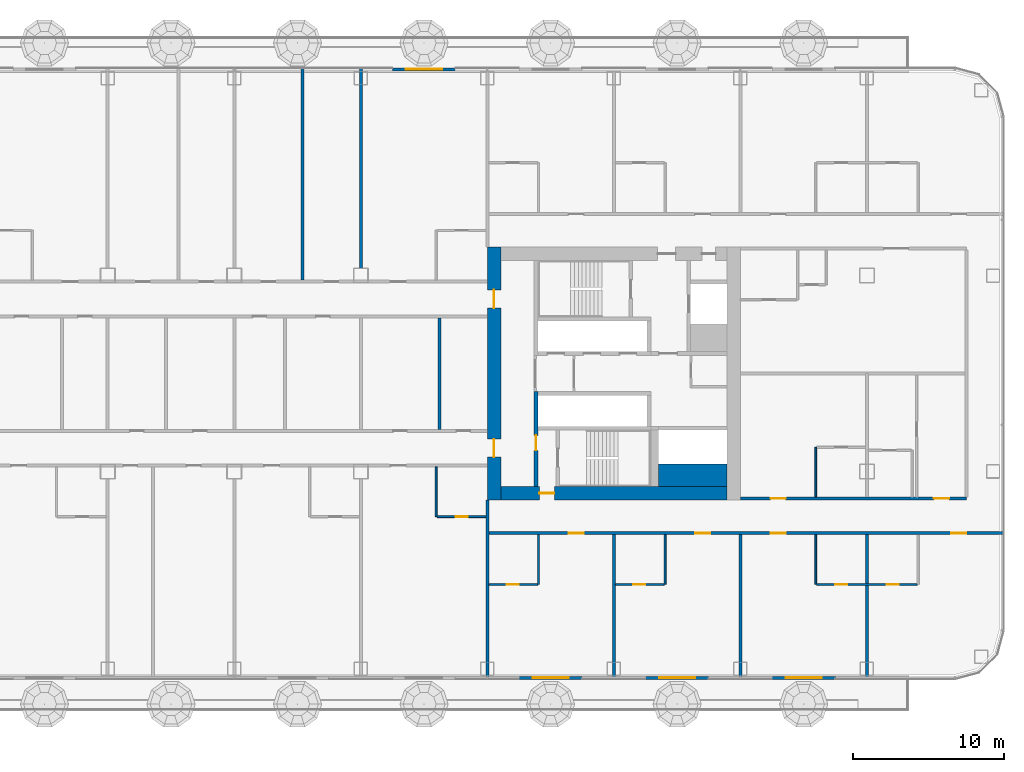
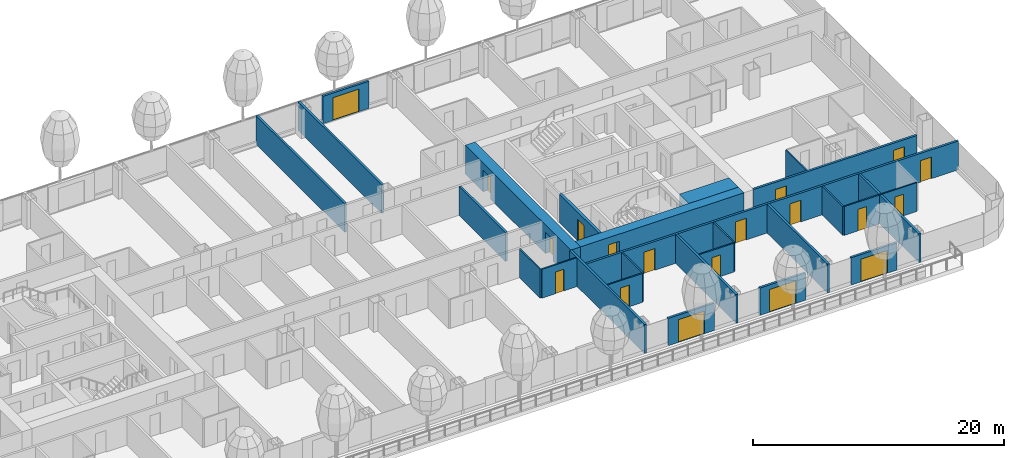
# One storey, part 17 of 35: 26 walls, 19 doors, 19 openings, 2 elements without a shape of their own.
"""IFC4 building model written with IfcOpenShell, lengths in metres."""

from ifc_helpers import new_model, si_unit, direction, frame, frame_2d, origin, place, context, subcontext, project, spatial, rectangle, extrude, material, layer, layer_set, type_object, element, fill, aggregate, save


model = new_model("IFC4")

# Units and contexts
model_context = context("Model", 3, precision=1e-05, world=origin(), true_north=direction((0.0, 1.0)))
body_context = subcontext(model_context, "Body", "Model", "MODEL_VIEW")
ifc_project = project(units=[si_unit("LENGTHUNIT", "METRE"), si_unit("AREAUNIT", "SQUARE_METRE"), si_unit("VOLUMEUNIT", "CUBIC_METRE"), si_unit("PLANEANGLEUNIT", "RADIAN"), si_unit("MASSUNIT", "GRAM", prefix="KILO")], contexts=[model_context])

# Site, building, storey
site_placement = place(None, origin())
site = spatial("IfcSite", under=ifc_project, at=site_placement, CompositionType="ELEMENT")
building_placement = place(site_placement, origin())
building = spatial("IfcBuilding", under=site, at=building_placement, Name="Hakoniwa Tower and Hamabe Station Hall", CompositionType="ELEMENT")
storey_placement = place(building_placement, frame((0.0, 0.0, 51.800048828125)))
storey = spatial("IfcBuildingStorey", under=building, at=storey_placement, Name="L14", CompositionType="ELEMENT", Elevation=51.800048828125)

# Wall, opening, door
ifc_material_1 = material(Name="Gypsum board partition", Category="gypsum")
ifc_layer_1 = layer(ifc_material_1, 0.125)
ifc_layer_set_1 = layer_set([ifc_layer_1], Name="Bathroom Partition 125")
wall_type_1 = type_object("IfcWallType", Name="Bathroom Partition 125", PredefinedType="PARTITIONING", material=ifc_layer_set_1)
wall_1_placement = place(storey_placement, frame((16.89990234375, -14.0, 0.0), z_axis=(0.0, 0.0, 1.0), x_axis=(1.0, 0.0, 0.0)))
wall_1 = element("IfcWall", 1, at=wall_1_placement, inside=storey, type_object=wall_type_1, Name="GW-L14-004", PredefinedType="PARTITIONING", context=body_context, shape_type="SweptSolid", body=[
    extrude(rectangle(XDim=3.237548828125, YDim=0.125, at=frame_2d((1.61865234375, 0.0))), origin(), (0.0, 0.0, 1.0), 2.800048828125),
])
opening_1_placement = place(wall_1_placement, frame((1.199951171875, 0.0, 0.0)))
opening_1 = element("IfcOpeningElement", 2, at=opening_1_placement, cuts=wall_1, Name="Opening GD-G1A2-05", PredefinedType="OPENING", context=body_context, shape_type="SweptSolid", body=[
    extrude(rectangle(XDim=0.800048828125, YDim=2.10009765625, at=frame_2d((0.39990234375, 1.050048828125))), frame((0.0, 0.072509765625, 0.0), z_axis=(0.0, -1.0, 0.0), x_axis=(1.0, 0.0, 0.0)), (0.0, 0.0, 1.0), 0.14501953125),
])
ifc_material_2 = material(Name="Timber door leaf", Category="wood")
door_type_1 = type_object("IfcDoorType", Name="Bathroom Door 800", OperationType="SINGLE_SWING_LEFT", PredefinedType="DOOR", material=ifc_material_2)
door_1_placement = place(opening_1_placement, origin())
door_1 = element("IfcDoor", 3, at=door_1_placement, inside=storey, type_object=door_type_1, Name="Door GD-G1A2-05", OperationType="SINGLE_SWING_LEFT", OverallHeight=2.10009765625, OverallWidth=0.800048828125, PredefinedType="DOOR", context=body_context, shape_type="SweptSolid", body=[
    extrude(rectangle(XDim=0.800048828125, YDim=2.10009765625, at=frame_2d((0.39990234375, 1.050048828125))), frame((0.0, 0.02490234375, 0.0), z_axis=(0.0, -1.0, 0.0), x_axis=(1.0, 0.0, 0.0)), (0.0, 0.0, 1.0), 0.050048828125),
])
fill(opening_1, door_1)

wall_2_placement = place(storey_placement, frame((25.300048828125, -14.0, 0.0), z_axis=(0.0, 0.0, 1.0), x_axis=(1.0, 0.0, 0.0)))
wall_2 = element("IfcWall", 4, at=wall_2_placement, inside=storey, type_object=wall_type_1, Name="GW-L14-005", PredefinedType="PARTITIONING", context=body_context, shape_type="SweptSolid", body=[
    extrude(rectangle(XDim=3.237548828125, YDim=0.125, at=frame_2d((1.61865234375, 0.0))), origin(), (0.0, 0.0, 1.0), 2.800048828125),
])
opening_2_placement = place(wall_2_placement, frame((1.199951171875, 0.0, 0.0)))
opening_2 = element("IfcOpeningElement", 5, at=opening_2_placement, cuts=wall_2, Name="Opening GD-G1A2-06", PredefinedType="OPENING", context=body_context, shape_type="SweptSolid", body=[
    extrude(rectangle(XDim=0.800048828125, YDim=2.10009765625, at=frame_2d((0.39990234375, 1.050048828125))), frame((0.0, 0.072509765625, 0.0), z_axis=(0.0, -1.0, 0.0), x_axis=(1.0, 0.0, 0.0)), (0.0, 0.0, 1.0), 0.14501953125),
])
door_2_placement = place(opening_2_placement, origin())
door_2 = element("IfcDoor", 6, at=door_2_placement, inside=storey, type_object=door_type_1, Name="Door GD-G1A2-06", OperationType="SINGLE_SWING_RIGHT", OverallHeight=2.10009765625, OverallWidth=0.800048828125, PredefinedType="DOOR", context=body_context, shape_type="SweptSolid", body=[
    extrude(rectangle(XDim=0.800048828125, YDim=2.10009765625, at=frame_2d((0.39990234375, 1.050048828125))), frame((0.0, 0.02490234375, 0.0), z_axis=(0.0, -1.0, 0.0), x_axis=(1.0, 0.0, 0.0)), (0.0, 0.0, 1.0), 0.050048828125),
])
fill(opening_2, door_2)

# Wall, openings, doors
wall_3_placement = place(storey_placement, frame((38.66259765625, -14.0, 0.0), z_axis=(0.0, 0.0, 1.0), x_axis=(1.0, 0.0, 0.0)))
wall_3 = element("IfcWall", 7, at=wall_3_placement, inside=storey, type_object=wall_type_1, Name="GW-L14-006", PredefinedType="PARTITIONING", context=body_context, shape_type="SweptSolid", body=[
    extrude(rectangle(XDim=6.6748046875, YDim=0.125, at=frame_2d((3.33740234375, 0.0))), origin(), (0.0, 0.0, 1.0), 2.800048828125),
])
opening_3_placement = place(wall_3_placement, frame((1.237548828125, 0.0, 0.0)))
opening_3 = element("IfcOpeningElement", 8, at=opening_3_placement, cuts=wall_3, Name="Opening GD-G1A2-07", PredefinedType="OPENING", context=body_context, shape_type="SweptSolid", body=[
    extrude(rectangle(XDim=0.800048828125, YDim=2.10009765625, at=frame_2d((0.39990234375, 1.050048828125))), frame((0.0, 0.072509765625, 0.0), z_axis=(0.0, -1.0, 0.0), x_axis=(1.0, 0.0, 0.0)), (0.0, 0.0, 1.0), 0.14501953125),
])
opening_4_placement = place(wall_3_placement, frame((4.637451171875, 0.0, 0.0)))
opening_4 = element("IfcOpeningElement", 9, at=opening_4_placement, cuts=wall_3, Name="Opening GD-G1A2-08", PredefinedType="OPENING", context=body_context, shape_type="SweptSolid", body=[
    extrude(rectangle(XDim=0.800048828125, YDim=2.10009765625, at=frame_2d((0.39990234375, 1.050048828125))), frame((0.0, 0.072509765625, 0.0), z_axis=(0.0, -1.0, 0.0), x_axis=(1.0, 0.0, 0.0)), (0.0, 0.0, 1.0), 0.14501953125),
])
door_3_placement = place(opening_3_placement, origin())
door_3 = element("IfcDoor", 10, at=door_3_placement, inside=storey, type_object=door_type_1, Name="Door GD-G1A2-07", OperationType="SINGLE_SWING_LEFT", OverallHeight=2.10009765625, OverallWidth=0.800048828125, PredefinedType="DOOR", context=body_context, shape_type="SweptSolid", body=[
    extrude(rectangle(XDim=0.800048828125, YDim=2.10009765625, at=frame_2d((0.39990234375, 1.050048828125))), frame((0.0, 0.02490234375, 0.0), z_axis=(0.0, -1.0, 0.0), x_axis=(1.0, 0.0, 0.0)), (0.0, 0.0, 1.0), 0.050048828125),
])
fill(opening_3, door_3)
door_4_placement = place(opening_4_placement, origin())
door_4 = element("IfcDoor", 11, at=door_4_placement, inside=storey, type_object=door_type_1, Name="Door GD-G1A2-08", OperationType="SINGLE_SWING_RIGHT", OverallHeight=2.10009765625, OverallWidth=0.800048828125, PredefinedType="DOOR", context=body_context, shape_type="SweptSolid", body=[
    extrude(rectangle(XDim=0.800048828125, YDim=2.10009765625, at=frame_2d((0.39990234375, 1.050048828125))), frame((0.0, 0.02490234375, 0.0), z_axis=(0.0, -1.0, 0.0), x_axis=(1.0, 0.0, 0.0)), (0.0, 0.0, 1.0), 0.050048828125),
])
fill(opening_4, door_4)

# Wall, opening, door
wall_4_placement = place(storey_placement, frame((13.46240234375, -9.5, 0.0), z_axis=(0.0, 0.0, 1.0), x_axis=(1.0, 0.0, 0.0)))
wall_4 = element("IfcWall", 12, at=wall_4_placement, inside=storey, type_object=wall_type_1, Name="GW-L14-011", PredefinedType="PARTITIONING", context=body_context, shape_type="SweptSolid", body=[
    extrude(rectangle(XDim=3.237548828125, YDim=0.125, at=frame_2d((1.61865234375, 0.0))), origin(), (0.0, 0.0, 1.0), 2.800048828125),
])
opening_5_placement = place(wall_4_placement, frame((1.237548828125, 0.0, 0.0)))
opening_5 = element("IfcOpeningElement", 13, at=opening_5_placement, cuts=wall_4, Name="Opening GD-G1A2-19", PredefinedType="OPENING", context=body_context, shape_type="SweptSolid", body=[
    extrude(rectangle(XDim=0.800048828125, YDim=2.10009765625, at=frame_2d((0.39990234375, 1.050048828125))), frame((0.0, 0.072509765625, 0.0), z_axis=(0.0, -1.0, 0.0), x_axis=(1.0, 0.0, 0.0)), (0.0, 0.0, 1.0), 0.14501953125),
])
door_5_placement = place(opening_5_placement, origin())
door_5 = element("IfcDoor", 14, at=door_5_placement, inside=storey, type_object=door_type_1, Name="Door GD-G1A2-19", OperationType="SINGLE_SWING_RIGHT", OverallHeight=2.10009765625, OverallWidth=0.800048828125, PredefinedType="DOOR", context=body_context, shape_type="SweptSolid", body=[
    extrude(rectangle(XDim=0.800048828125, YDim=2.10009765625, at=frame_2d((0.39990234375, 1.050048828125))), frame((0.0, 0.02490234375, 0.0), z_axis=(0.0, -1.0, 0.0), x_axis=(1.0, 0.0, 0.0)), (0.0, 0.0, 1.0), 0.050048828125),
])
fill(opening_5, door_5)

# Walls
for number, where, z_axis, x_axis, name in (
    (15, (13.39990234375, -9.5, 0.0), (0.0, 0.0, 1.0), (0.0, 1.0, 0.0), "GW-L14-081"),
    (16, (20.199951171875, -14.0, 0.0), (0.0, 0.0, 1.0), (0.0, 1.0, 0.0), "GW-L14-086"),
    (17, (28.60009765625, -14.0, 0.0), (0.0, 0.0, 1.0), (0.0, 1.0, 0.0), "GW-L14-090"),
    (18, (38.60009765625, -14.0, 0.0), (0.0, 0.0, 1.0), (0.0, 1.0, 0.0), "GW-L14-095"),
    (19, (38.60009765625, -8.199951171875, 0.0), (0.0, 0.0, 1.0), (0.0, 1.0, 0.0), "GW-L14-096"),
):
    element("IfcWall", number, at=place(storey_placement, frame(where, z_axis=z_axis, x_axis=x_axis)), inside=storey, type_object=wall_type_1, Name=name, PredefinedType="PARTITIONING", context=body_context, shape_type="SweptSolid", body=[
        extrude(rectangle(XDim=3.300048828125, YDim=0.125, at=frame_2d((1.64990234375, 0.0))), origin(), (0.0, 0.0, 1.0), 2.800048828125),
    ])

# Wall, openings, doors
ifc_material_3 = material(Name="Concrete C80", Category="concrete")
ifc_layer_2 = layer(ifc_material_3, 0.89990234375)
ifc_layer_set_2 = layer_set([ifc_layer_2], Name="CORE WALL 900 C80")
wall_type_2 = type_object("IfcWallType", Name="CORE WALL 900 C80", PredefinedType="SHEAR", material=ifc_layer_set_2)
wall_5_placement = place(storey_placement, frame((17.25, -8.39990234375, 0.0), z_axis=(0.0, 0.0, 1.0), x_axis=(0.0, 1.0, 0.0)))
wall_5 = element("IfcWall", 20, at=wall_5_placement, inside=storey, type_object=wall_type_2, Name="Core wall INNER east", PredefinedType="SHEAR", context=body_context, shape_type="SweptSolid", body=[
    extrude(rectangle(XDim=16.7998046875, YDim=0.89990234375, at=frame_2d((8.39990234375, 0.0))), origin(), (0.0, 0.0, 1.0), 2.800048828125),
])
opening_6_placement = place(wall_5_placement, frame((12.75, 0.0, 0.0)))
opening_6 = element("IfcOpeningElement", 21, at=opening_6_placement, cuts=wall_5, Name="Opening CD-E-IN1-12", PredefinedType="OPENING", context=body_context, shape_type="SweptSolid", body=[
    extrude(rectangle(XDim=1.199951171875, YDim=2.10009765625, at=frame_2d((0.60009765625, 1.050048828125))), frame((0.0, 0.4599609375, 0.0), z_axis=(0.0, -1.0, 0.0), x_axis=(1.0, 0.0, 0.0)), (0.0, 0.0, 1.0), 0.919921875),
])
opening_7_placement = place(wall_5_placement, frame((2.85009765625, 0.0, 0.0)))
opening_7 = element("IfcOpeningElement", 22, at=opening_7_placement, cuts=wall_5, Name="Opening CD-E-IN2-12", PredefinedType="OPENING", context=body_context, shape_type="SweptSolid", body=[
    extrude(rectangle(XDim=1.199951171875, YDim=2.10009765625, at=frame_2d((0.60009765625, 1.050048828125))), frame((0.0, 0.4599609375, 0.0), z_axis=(0.0, -1.0, 0.0), x_axis=(1.0, 0.0, 0.0)), (0.0, 0.0, 1.0), 0.919921875),
])
ifc_material_4 = material(Name="Steel fire door", Category="steel")
door_type_2 = type_object("IfcDoorType", Name="CORE DOOR 1200 FD60", OperationType="DOUBLE_DOOR_SINGLE_SWING", PredefinedType="DOOR", material=ifc_material_4)
door_6_placement = place(opening_6_placement, origin())
door_6 = element("IfcDoor", 23, at=door_6_placement, inside=storey, type_object=door_type_2, Name="Lift lobby door", OperationType="DOUBLE_DOOR_SINGLE_SWING", OverallHeight=2.10009765625, OverallWidth=1.199951171875, PredefinedType="DOOR", context=body_context, shape_type="SweptSolid", body=[
    extrude(rectangle(XDim=1.199951171875, YDim=2.10009765625, at=frame_2d((0.60009765625, 1.050048828125))), frame((0.0, 0.02490234375, 0.0), z_axis=(0.0, -1.0, 0.0), x_axis=(1.0, 0.0, 0.0)), (0.0, 0.0, 1.0), 0.050048828125),
])
fill(opening_6, door_6)
door_7_placement = place(opening_7_placement, origin())
door_7 = element("IfcDoor", 24, at=door_7_placement, inside=storey, type_object=door_type_2, Name="Lift lobby door", OperationType="DOUBLE_DOOR_SINGLE_SWING", OverallHeight=2.10009765625, OverallWidth=1.199951171875, PredefinedType="DOOR", context=body_context, shape_type="SweptSolid", body=[
    extrude(rectangle(XDim=1.199951171875, YDim=2.10009765625, at=frame_2d((0.60009765625, 1.050048828125))), frame((0.0, 0.02490234375, 0.0), z_axis=(0.0, -1.0, 0.0), x_axis=(1.0, 0.0, 0.0)), (0.0, 0.0, 1.0), 0.050048828125),
])
fill(opening_7, door_7)

# Wall, opening, door
wall_6_placement = place(storey_placement, frame((17.699951171875, -7.949951171875, 0.0), z_axis=(0.0, 0.0, 1.0), x_axis=(1.0, 0.0, 0.0)))
wall_6 = element("IfcWall", 25, at=wall_6_placement, inside=storey, type_object=wall_type_2, Name="Core wall SOUTH east", PredefinedType="SHEAR", context=body_context, shape_type="SweptSolid", body=[
    extrude(rectangle(XDim=15.0, YDim=0.89990234375, at=frame_2d((7.5, 0.0))), origin(), (0.0, 0.0, 1.0), 2.800048828125),
])
opening_8_placement = place(wall_6_placement, frame((2.550048828125, 0.0, 0.0)))
opening_8 = element("IfcOpeningElement", 26, at=opening_8_placement, cuts=wall_6, Name="Opening CD-E-FS3-10", PredefinedType="OPENING", context=body_context, shape_type="SweptSolid", body=[
    extrude(rectangle(XDim=1.0, YDim=2.10009765625, at=frame_2d((0.5, 1.050048828125))), frame((0.0, 0.4599609375, 0.0), z_axis=(0.0, -1.0, 0.0), x_axis=(1.0, 0.0, 0.0)), (0.0, 0.0, 1.0), 0.919921875),
])
ifc_material_5 = material(Name="Steel fire door", Category="steel")
door_type_3 = type_object("IfcDoorType", Name="CORE DOOR 1000 FD60", OperationType="NOTDEFINED", PredefinedType="DOOR", material=ifc_material_5)
door_8_placement = place(opening_8_placement, origin())
door_8 = element("IfcDoor", 27, at=door_8_placement, inside=storey, type_object=door_type_3, Name="Stair vestibule door", OperationType="SINGLE_SWING_RIGHT", OverallHeight=2.10009765625, OverallWidth=1.0, PredefinedType="DOOR", context=body_context, shape_type="SweptSolid", body=[
    extrude(rectangle(XDim=1.0, YDim=2.10009765625, at=frame_2d((0.5, 1.050048828125))), frame((0.0, 0.02490234375, 0.0), z_axis=(0.0, -1.0, 0.0), x_axis=(1.0, 0.0, 0.0)), (0.0, 0.0, 1.0), 0.050048828125),
])
fill(opening_8, door_8)

# Wall
ifc_material_6 = material(Name="Concrete C80", Category="concrete")
ifc_layer_3 = layer(ifc_material_6, 1.5)
ifc_layer_set_3 = layer_set([ifc_layer_3], Name="CORE WEB WALL 1500 C80")
wall_type_3 = type_object("IfcWallType", Name="CORE WEB WALL 1500 C80", PredefinedType="SHEAR", material=ifc_layer_set_3)
wall_7_placement = place(storey_placement, frame((28.14990234375, -6.75, 0.0), z_axis=(0.0, 0.0, 1.0), x_axis=(1.0, 0.0, 0.0)))
element("IfcWall", 28, at=wall_7_placement, inside=storey, type_object=wall_type_3, Name="Core wall SER east", PredefinedType="SHEAR", context=body_context, shape_type="SweptSolid", body=[
    extrude(rectangle(XDim=4.550048828125, YDim=1.5, at=frame_2d((2.27490234375, 0.0))), origin(), (0.0, 0.0, 1.0), 2.800048828125),
])

# Wall, opening, door
ifc_material_7 = material(Name="Concrete C80", Category="concrete")
ifc_layer_4 = layer(ifc_material_7, 0.25)
ifc_layer_set_4 = layer_set([ifc_layer_4], Name="CORE WEB WALL 250 C80")
wall_type_4 = type_object("IfcWallType", Name="CORE WEB WALL 250 C80", PredefinedType="SHEAR", material=ifc_layer_set_4)
wall_8_placement = place(storey_placement, frame((20.02490234375, -7.5, 0.0), z_axis=(0.0, 0.0, 1.0), x_axis=(0.0, 1.0, 0.0)))
wall_8 = element("IfcWall", 29, at=wall_8_placement, inside=storey, type_object=wall_type_4, Name="Core wall W1S east", PredefinedType="SHEAR", context=body_context, shape_type="SweptSolid", body=[
    extrude(rectangle(XDim=6.300048828125, YDim=0.25, at=frame_2d((3.14990234375, 0.0))), origin(), (0.0, 0.0, 1.0), 2.800048828125),
])
opening_9_placement = place(wall_8_placement, frame((2.39990234375, 0.0, 0.0)))
opening_9 = element("IfcOpeningElement", 30, at=opening_9_placement, cuts=wall_8, Name="Opening CD-E-VS-10", PredefinedType="OPENING", context=body_context, shape_type="SweptSolid", body=[
    extrude(rectangle(XDim=1.0, YDim=2.10009765625, at=frame_2d((0.5, 1.050048828125))), frame((0.0, 0.135009765625, 0.0), z_axis=(0.0, -1.0, 0.0), x_axis=(1.0, 0.0, 0.0)), (0.0, 0.0, 1.0), 0.27001953125),
])
door_9_placement = place(opening_9_placement, origin())
door_9 = element("IfcDoor", 31, at=door_9_placement, inside=storey, type_object=door_type_3, Name="Stair vestibule door", OperationType="SINGLE_SWING_RIGHT", OverallHeight=2.10009765625, OverallWidth=1.0, PredefinedType="DOOR", context=body_context, shape_type="SweptSolid", body=[
    extrude(rectangle(XDim=1.0, YDim=2.10009765625, at=frame_2d((0.5, 1.050048828125))), frame((0.0, 0.02490234375, 0.0), z_axis=(0.0, -1.0, 0.0), x_axis=(1.0, 0.0, 0.0)), (0.0, 0.0, 1.0), 0.050048828125),
])
fill(opening_9, door_9)

# Wall, openings, doors
ifc_material_8 = material(Name="Fire-rated gypsum board partition", Category="gypsum")
ifc_layer_5 = layer(ifc_material_8, 0.199951171875)
ifc_layer_set_5 = layer_set([ifc_layer_5], Name="Corridor Wall 200")
wall_type_5 = type_object("IfcWallType", Name="Corridor Wall 200", PredefinedType="PARTITIONING", material=ifc_layer_set_5)
wall_9_placement = place(storey_placement, frame((16.800048828125, -10.60009765625, 0.0), z_axis=(0.0, 0.0, 1.0), x_axis=(1.0, 0.0, 0.0)))
wall_9 = element("IfcWall", 32, at=wall_9_placement, inside=storey, type_object=wall_type_5, Name="GW-L14-008", PredefinedType="PARTITIONING", context=body_context, shape_type="SweptSolid", body=[
    extrude(rectangle(XDim=34.300048828125, YDim=0.199951171875, at=frame_2d((17.14990234375, 0.0))), origin(), (0.0, 0.0, 1.0), 2.800048828125),
])
opening_10_placement = place(wall_9_placement, frame((5.39990234375, 0.0, 0.0)))
opening_10 = element("IfcOpeningElement", 33, at=opening_10_placement, cuts=wall_9, Name="Opening GD-G1A2-13", PredefinedType="OPENING", context=body_context, shape_type="SweptSolid", body=[
    extrude(rectangle(XDim=1.0, YDim=2.10009765625, at=frame_2d((0.5, 1.050048828125))), frame((0.0, 0.10986328125, 0.0), z_axis=(0.0, -1.0, 0.0), x_axis=(1.0, 0.0, 0.0)), (0.0, 0.0, 1.0), 0.219970703125),
])
opening_11_placement = place(wall_9_placement, frame((13.800048828125, 0.0, 0.0)))
opening_11 = element("IfcOpeningElement", 34, at=opening_11_placement, cuts=wall_9, Name="Opening GD-G1A2-14", PredefinedType="OPENING", context=body_context, shape_type="SweptSolid", body=[
    extrude(rectangle(XDim=1.0, YDim=2.10009765625, at=frame_2d((0.5, 1.050048828125))), frame((0.0, 0.10986328125, 0.0), z_axis=(0.0, -1.0, 0.0), x_axis=(1.0, 0.0, 0.0)), (0.0, 0.0, 1.0), 0.219970703125),
])
opening_12_placement = place(wall_9_placement, frame((18.800048828125, 0.0, 0.0)))
opening_12 = element("IfcOpeningElement", 35, at=opening_12_placement, cuts=wall_9, Name="Opening GD-G1A2-15", PredefinedType="OPENING", context=body_context, shape_type="SweptSolid", body=[
    extrude(rectangle(XDim=1.0, YDim=2.10009765625, at=frame_2d((0.5, 1.050048828125))), frame((0.0, 0.10986328125, 0.0), z_axis=(0.0, -1.0, 0.0), x_axis=(1.0, 0.0, 0.0)), (0.0, 0.0, 1.0), 0.219970703125),
])
opening_13_placement = place(wall_9_placement, frame((30.800048828125, 0.0, 0.0)))
opening_13 = element("IfcOpeningElement", 36, at=opening_13_placement, cuts=wall_9, Name="Opening GD-G1A2-16", PredefinedType="OPENING", context=body_context, shape_type="SweptSolid", body=[
    extrude(rectangle(XDim=1.0, YDim=2.10009765625, at=frame_2d((0.5, 1.050048828125))), frame((0.0, 0.10986328125, 0.0), z_axis=(0.0, -1.0, 0.0), x_axis=(1.0, 0.0, 0.0)), (0.0, 0.0, 1.0), 0.219970703125),
])
ifc_material_9 = material(Name="Timber door leaf", Category="wood")
door_type_4 = type_object("IfcDoorType", Name="Guest Entrance Door 1000", OperationType="SINGLE_SWING_LEFT", PredefinedType="DOOR", material=ifc_material_9)
door_10_placement = place(opening_10_placement, origin())
door_10 = element("IfcDoor", 37, at=door_10_placement, inside=storey, type_object=door_type_4, Name="Door GD-G1A2-13", OperationType="SINGLE_SWING_LEFT", OverallHeight=2.10009765625, OverallWidth=1.0, PredefinedType="DOOR", context=body_context, shape_type="SweptSolid", body=[
    extrude(rectangle(XDim=1.0, YDim=2.10009765625, at=frame_2d((0.5, 1.050048828125))), frame((0.0, 0.02490234375, 0.0), z_axis=(0.0, -1.0, 0.0), x_axis=(1.0, 0.0, 0.0)), (0.0, 0.0, 1.0), 0.050048828125),
])
fill(opening_10, door_10)
door_11_placement = place(opening_11_placement, origin())
door_11 = element("IfcDoor", 38, at=door_11_placement, inside=storey, type_object=door_type_4, Name="Door GD-G1A2-14", OperationType="SINGLE_SWING_RIGHT", OverallHeight=2.10009765625, OverallWidth=1.0, PredefinedType="DOOR", context=body_context, shape_type="SweptSolid", body=[
    extrude(rectangle(XDim=1.0, YDim=2.10009765625, at=frame_2d((0.5, 1.050048828125))), frame((0.0, 0.02490234375, 0.0), z_axis=(0.0, -1.0, 0.0), x_axis=(1.0, 0.0, 0.0)), (0.0, 0.0, 1.0), 0.050048828125),
])
fill(opening_11, door_11)
door_12_placement = place(opening_12_placement, origin())
door_12 = element("IfcDoor", 39, at=door_12_placement, inside=storey, type_object=door_type_4, Name="Door GD-G1A2-15", OperationType="SINGLE_SWING_LEFT", OverallHeight=2.10009765625, OverallWidth=1.0, PredefinedType="DOOR", context=body_context, shape_type="SweptSolid", body=[
    extrude(rectangle(XDim=1.0, YDim=2.10009765625, at=frame_2d((0.5, 1.050048828125))), frame((0.0, 0.02490234375, 0.0), z_axis=(0.0, -1.0, 0.0), x_axis=(1.0, 0.0, 0.0)), (0.0, 0.0, 1.0), 0.050048828125),
])
fill(opening_12, door_12)
door_13_placement = place(opening_13_placement, origin())
door_13 = element("IfcDoor", 40, at=door_13_placement, inside=storey, type_object=door_type_4, Name="Door GD-G1A2-16", OperationType="SINGLE_SWING_RIGHT", OverallHeight=2.10009765625, OverallWidth=1.0, PredefinedType="DOOR", context=body_context, shape_type="SweptSolid", body=[
    extrude(rectangle(XDim=1.0, YDim=2.10009765625, at=frame_2d((0.5, 1.050048828125))), frame((0.0, 0.02490234375, 0.0), z_axis=(0.0, -1.0, 0.0), x_axis=(1.0, 0.0, 0.0)), (0.0, 0.0, 1.0), 0.050048828125),
])
fill(opening_13, door_13)

wall_10_placement = place(storey_placement, frame((33.60009765625, -8.300048828125, 0.0), z_axis=(0.0, 0.0, 1.0), x_axis=(1.0, 0.0, 0.0)))
wall_10 = element("IfcWall", 41, at=wall_10_placement, inside=storey, type_object=wall_type_5, Name="GW-L14-013", PredefinedType="PARTITIONING", context=body_context, shape_type="SweptSolid", body=[
    extrude(rectangle(XDim=15.0, YDim=0.199951171875, at=frame_2d((7.5, 0.0))), origin(), (0.0, 0.0, 1.0), 2.800048828125),
])
opening_14_placement = place(wall_10_placement, frame((2.0, 0.0, 0.0)))
opening_14 = element("IfcOpeningElement", 42, at=opening_14_placement, cuts=wall_10, Name="Opening GD-G1A2-22", PredefinedType="OPENING", context=body_context, shape_type="SweptSolid", body=[
    extrude(rectangle(XDim=1.0, YDim=2.10009765625, at=frame_2d((0.5, 1.050048828125))), frame((0.0, 0.10986328125, 0.0), z_axis=(0.0, -1.0, 0.0), x_axis=(1.0, 0.0, 0.0)), (0.0, 0.0, 1.0), 0.219970703125),
])
opening_15_placement = place(wall_10_placement, frame((12.85009765625, 0.0, 0.0)))
opening_15 = element("IfcOpeningElement", 43, at=opening_15_placement, cuts=wall_10, Name="Opening GD-G1A2-23", PredefinedType="OPENING", context=body_context, shape_type="SweptSolid", body=[
    extrude(rectangle(XDim=1.0, YDim=2.10009765625, at=frame_2d((0.5, 1.050048828125))), frame((0.0, 0.10986328125, 0.0), z_axis=(0.0, -1.0, 0.0), x_axis=(1.0, 0.0, 0.0)), (0.0, 0.0, 1.0), 0.219970703125),
])
door_14_placement = place(opening_14_placement, origin())
door_14 = element("IfcDoor", 44, at=door_14_placement, inside=storey, type_object=door_type_4, Name="Door GD-G1A2-22", OperationType="SINGLE_SWING_RIGHT", OverallHeight=2.10009765625, OverallWidth=1.0, PredefinedType="DOOR", context=body_context, shape_type="SweptSolid", body=[
    extrude(rectangle(XDim=1.0, YDim=2.10009765625, at=frame_2d((0.5, 1.050048828125))), frame((0.0, 0.02490234375, 0.0), z_axis=(0.0, -1.0, 0.0), x_axis=(1.0, 0.0, 0.0)), (0.0, 0.0, 1.0), 0.050048828125),
])
fill(opening_14, door_14)
door_15_placement = place(opening_15_placement, origin())
door_15 = element("IfcDoor", 45, at=door_15_placement, inside=storey, type_object=door_type_4, Name="Door GD-G1A2-23", OperationType="SINGLE_SWING_RIGHT", OverallHeight=2.10009765625, OverallWidth=1.0, PredefinedType="DOOR", context=body_context, shape_type="SweptSolid", body=[
    extrude(rectangle(XDim=1.0, YDim=2.10009765625, at=frame_2d((0.5, 1.050048828125))), frame((0.0, 0.02490234375, 0.0), z_axis=(0.0, -1.0, 0.0), x_axis=(1.0, 0.0, 0.0)), (0.0, 0.0, 1.0), 0.050048828125),
])
fill(opening_15, door_15)

# Curtain wall, wall, opening, door
ifc_material_10 = material(Name="Dark low-e laminated glass", Category="glass")
ifc_layer_6 = layer(ifc_material_10, 0.199951171875)
ifc_layer_set_6 = layer_set([ifc_layer_6], Name="CW-1 UNITISED GUEST")
curtain_wall_type = type_object("IfcCurtainWallType", Name="CW-1 UNITISED GUEST", PredefinedType="NOTDEFINED", material=ifc_layer_set_6)
curtain_wall_1_placement = place(storey_placement, origin())
curtain_wall_1 = element("IfcCurtainWall", 46, at=curtain_wall_1_placement, inside=storey, type_object=curtain_wall_type, Name="CW-1 curtain wall", PredefinedType="NOTDEFINED")
ifc_material_11 = material(Name="Dark glass-faced aluminium panel", Category="aluminium")
ifc_layer_7 = layer(ifc_material_11, 0.199951171875)
ifc_layer_set_7 = layer_set([ifc_layer_7], Name="DOOR BAY WALL")
wall_type_6 = type_object("IfcWallType", Name="DOOR BAY WALL", PredefinedType="NOTDEFINED", material=ifc_layer_set_7)
wall_11_placement = place(storey_placement, frame((14.7099609375, 20.199951171875, 0.0), z_axis=(0.0, 0.0, 1.0), x_axis=(-1.0, 0.0, 0.0)))
wall_11 = element("IfcWall", 47, at=wall_11_placement, type_object=wall_type_6, Name="Door bay wall", PredefinedType="NOTDEFINED", context=body_context, shape_type="SweptSolid", body=[
    extrude(rectangle(XDim=4.219970703125, YDim=0.199951171875, at=frame_2d((2.10986328125, 0.0))), origin(), (0.0, 0.0, 1.0), 2.64990234375),
])
opening_16_placement = place(wall_11_placement, frame((0.909912109375, 0.0, 0.0)))
opening_16 = element("IfcOpeningElement", 48, at=opening_16_placement, cuts=wall_11, Name="Opening BD-N03-2", PredefinedType="OPENING", context=body_context, shape_type="SweptSolid", body=[
    extrude(rectangle(XDim=2.39990234375, YDim=2.199951171875, at=frame_2d((1.199951171875, 1.10009765625))), frame((0.0, 0.10986328125, 0.0), z_axis=(0.0, -1.0, 0.0), x_axis=(1.0, 0.0, 0.0)), (0.0, 0.0, 1.0), 0.219970703125),
])
ifc_material_12 = material(Name="Dark low-e laminated glass", Category="glass")
door_type_5 = type_object("IfcDoorType", Name="BALCONY SLIDING DOOR 2400X2200", OperationType="SLIDING_TO_LEFT", PredefinedType="DOOR", material=ifc_material_12)
door_16_placement = place(opening_16_placement, frame((2.39990234375, 0.0, 0.0), z_axis=(0.0, 0.0, 1.0), x_axis=(-1.0, 0.0, 0.0)))
door_16 = element("IfcDoor", 49, at=door_16_placement, inside=storey, type_object=door_type_5, Name="Balcony sliding door", OperationType="SLIDING_TO_LEFT", OverallHeight=2.199951171875, OverallWidth=2.39990234375, PredefinedType="DOOR", context=body_context, shape_type="SweptSolid", body=[
    extrude(rectangle(XDim=2.39990234375, YDim=2.199951171875, at=frame_2d((1.199951171875, 1.10009765625))), frame((0.0, 0.02490234375, 0.0), z_axis=(0.0, -1.0, 0.0), x_axis=(1.0, 0.0, 0.0)), (0.0, 0.0, 1.0), 0.050048828125),
])
fill(opening_16, door_16)
aggregate(curtain_wall_1, [wall_11])

# Curtain wall, walls, openings, doors
curtain_wall_2_placement = place(storey_placement, origin())
curtain_wall_2 = element("IfcCurtainWall", 50, at=curtain_wall_2_placement, inside=storey, type_object=curtain_wall_type, Name="CW-1 curtain wall", PredefinedType="NOTDEFINED")
wall_12_placement = place(storey_placement, frame((18.889892578125, -20.199951171875, 0.0), z_axis=(0.0, 0.0, 1.0), x_axis=(1.0, 0.0, 0.0)))
wall_12 = element("IfcWall", 51, at=wall_12_placement, type_object=wall_type_6, Name="Door bay wall", PredefinedType="NOTDEFINED", context=body_context, shape_type="SweptSolid", body=[
    extrude(rectangle(XDim=4.22021484375, YDim=0.199951171875, at=frame_2d((2.110107421875, 0.0))), origin(), (0.0, 0.0, 1.0), 2.64990234375),
])
opening_17_placement = place(wall_12_placement, frame((0.909912109375, 0.0, 0.0)))
opening_17 = element("IfcOpeningElement", 52, at=opening_17_placement, cuts=wall_12, Name="Opening BD-S07-9", PredefinedType="OPENING", context=body_context, shape_type="SweptSolid", body=[
    extrude(rectangle(XDim=2.39990234375, YDim=2.199951171875, at=frame_2d((1.199951171875, 1.10009765625))), frame((0.0, 0.10986328125, 0.0), z_axis=(0.0, -1.0, 0.0), x_axis=(1.0, 0.0, 0.0)), (0.0, 0.0, 1.0), 0.219970703125),
])
door_17_placement = place(opening_17_placement, frame((2.39990234375, 0.0, 0.0), z_axis=(0.0, 0.0, 1.0), x_axis=(-1.0, 0.0, 0.0)))
door_17 = element("IfcDoor", 53, at=door_17_placement, inside=storey, type_object=door_type_5, Name="Balcony sliding door", OperationType="SLIDING_TO_LEFT", OverallHeight=2.199951171875, OverallWidth=2.39990234375, PredefinedType="DOOR", context=body_context, shape_type="SweptSolid", body=[
    extrude(rectangle(XDim=2.39990234375, YDim=2.199951171875, at=frame_2d((1.199951171875, 1.10009765625))), frame((0.0, 0.02490234375, 0.0), z_axis=(0.0, -1.0, 0.0), x_axis=(1.0, 0.0, 0.0)), (0.0, 0.0, 1.0), 0.050048828125),
])
fill(opening_17, door_17)
wall_13_placement = place(storey_placement, frame((27.2900390625, -20.199951171875, 0.0), z_axis=(0.0, 0.0, 1.0), x_axis=(1.0, 0.0, 0.0)))
wall_13 = element("IfcWall", 54, at=wall_13_placement, type_object=wall_type_6, Name="Door bay wall", PredefinedType="NOTDEFINED", context=body_context, shape_type="SweptSolid", body=[
    extrude(rectangle(XDim=4.219970703125, YDim=0.199951171875, at=frame_2d((2.10986328125, 0.0))), origin(), (0.0, 0.0, 1.0), 2.64990234375),
])
opening_18_placement = place(wall_13_placement, frame((0.909912109375, 0.0, 0.0)))
opening_18 = element("IfcOpeningElement", 55, at=opening_18_placement, cuts=wall_13, Name="Opening BD-S07-10", PredefinedType="OPENING", context=body_context, shape_type="SweptSolid", body=[
    extrude(rectangle(XDim=2.39990234375, YDim=2.199951171875, at=frame_2d((1.199951171875, 1.10009765625))), frame((0.0, 0.10986328125, 0.0), z_axis=(0.0, -1.0, 0.0), x_axis=(1.0, 0.0, 0.0)), (0.0, 0.0, 1.0), 0.219970703125),
])
door_18_placement = place(opening_18_placement, frame((2.39990234375, 0.0, 0.0), z_axis=(0.0, 0.0, 1.0), x_axis=(-1.0, 0.0, 0.0)))
door_18 = element("IfcDoor", 56, at=door_18_placement, inside=storey, type_object=door_type_5, Name="Balcony sliding door", OperationType="SLIDING_TO_LEFT", OverallHeight=2.199951171875, OverallWidth=2.39990234375, PredefinedType="DOOR", context=body_context, shape_type="SweptSolid", body=[
    extrude(rectangle(XDim=2.39990234375, YDim=2.199951171875, at=frame_2d((1.199951171875, 1.10009765625))), frame((0.0, 0.02490234375, 0.0), z_axis=(0.0, -1.0, 0.0), x_axis=(1.0, 0.0, 0.0)), (0.0, 0.0, 1.0), 0.050048828125),
])
fill(opening_18, door_18)
wall_14_placement = place(storey_placement, frame((35.68994140625, -20.199951171875, 0.0), z_axis=(0.0, 0.0, 1.0), x_axis=(1.0, 0.0, 0.0)))
wall_14 = element("IfcWall", 57, at=wall_14_placement, type_object=wall_type_6, Name="Door bay wall", PredefinedType="NOTDEFINED", context=body_context, shape_type="SweptSolid", body=[
    extrude(rectangle(XDim=4.219970703125, YDim=0.199951171875, at=frame_2d((2.10986328125, 0.0))), origin(), (0.0, 0.0, 1.0), 2.64990234375),
])
opening_19_placement = place(wall_14_placement, frame((0.909912109375, 0.0, 0.0)))
opening_19 = element("IfcOpeningElement", 58, at=opening_19_placement, cuts=wall_14, Name="Opening BD-S07-11", PredefinedType="OPENING", context=body_context, shape_type="SweptSolid", body=[
    extrude(rectangle(XDim=2.39990234375, YDim=2.199951171875, at=frame_2d((1.199951171875, 1.10009765625))), frame((0.0, 0.10986328125, 0.0), z_axis=(0.0, -1.0, 0.0), x_axis=(1.0, 0.0, 0.0)), (0.0, 0.0, 1.0), 0.219970703125),
])
door_19_placement = place(opening_19_placement, frame((2.39990234375, 0.0, 0.0), z_axis=(0.0, 0.0, 1.0), x_axis=(-1.0, 0.0, 0.0)))
door_19 = element("IfcDoor", 59, at=door_19_placement, inside=storey, type_object=door_type_5, Name="Balcony sliding door", OperationType="SLIDING_TO_LEFT", OverallHeight=2.199951171875, OverallWidth=2.39990234375, PredefinedType="DOOR", context=body_context, shape_type="SweptSolid", body=[
    extrude(rectangle(XDim=2.39990234375, YDim=2.199951171875, at=frame_2d((1.199951171875, 1.10009765625))), frame((0.0, 0.02490234375, 0.0), z_axis=(0.0, -1.0, 0.0), x_axis=(1.0, 0.0, 0.0)), (0.0, 0.0, 1.0), 0.050048828125),
])
fill(opening_19, door_19)
aggregate(curtain_wall_2, [wall_12, wall_13, wall_14])

# Walls
ifc_material_13 = material(Name="Fire-rated gypsum board partition", Category="gypsum")
ifc_layer_8 = layer(ifc_material_13, 0.199951171875)
ifc_layer_set_8 = layer_set([ifc_layer_8], Name="Party Wall 200")
wall_type_7 = type_object("IfcWallType", Name="Party Wall 200", PredefinedType="PARTITIONING", material=ifc_layer_set_8)
wall_15_placement = place(storey_placement, frame((4.5400390625, 6.199951171875, 0.0), z_axis=(0.0, 0.0, 1.0), x_axis=(0.0, 1.0, 0.0)))
element("IfcWall", 60, at=wall_15_placement, inside=storey, type_object=wall_type_7, Name="GW-L14-076", PredefinedType="PARTITIONING", context=body_context, shape_type="SweptSolid", body=[
    extrude(rectangle(XDim=14.10009765625, YDim=0.199951171875, at=frame_2d((7.050048828125, 0.0))), origin(), (0.0, 0.0, 1.0), 2.800048828125),
])
wall_16_placement = place(storey_placement, frame((8.39990234375, 6.989990234375, 0.0), z_axis=(0.0, 0.0, 1.0), x_axis=(0.0, 1.0, 0.0)))
element("IfcWall", 61, at=wall_16_placement, inside=storey, type_object=wall_type_7, Name="GW-L14-080", PredefinedType="PARTITIONING", context=body_context, shape_type="SweptSolid", body=[
    extrude(rectangle(XDim=13.31005859375, YDim=0.199951171875, at=frame_2d((6.655029296875, 0.0))), origin(), (0.0, 0.0, 1.0), 2.800048828125),
])
wall_17_placement = place(storey_placement, frame((13.610107421875, -3.699951171875, 0.0), z_axis=(0.0, 0.0, 1.0), x_axis=(0.0, 1.0, 0.0)))
element("IfcWall", 62, at=wall_17_placement, inside=storey, type_object=wall_type_7, Name="GW-L14-083", PredefinedType="PARTITIONING", context=body_context, shape_type="SweptSolid", body=[
    extrude(rectangle(XDim=7.39990234375, YDim=0.199951171875, at=frame_2d((3.699951171875, 0.0))), origin(), (0.0, 0.0, 1.0), 2.800048828125),
])
wall_18_placement = place(storey_placement, frame((16.800048828125, -20.300048828125, 0.0), z_axis=(0.0, 0.0, 1.0), x_axis=(0.0, 1.0, 0.0)))
element("IfcWall", 63, at=wall_18_placement, inside=storey, type_object=wall_type_7, Name="GW-L14-084", PredefinedType="PARTITIONING", context=body_context, shape_type="SweptSolid", body=[
    extrude(rectangle(XDim=11.91015625, YDim=0.199951171875, at=frame_2d((5.955078125, 0.0))), origin(), (0.0, 0.0, 1.0), 2.800048828125),
])
for number, where, z_axis, x_axis, name in (
    (64, (25.199951171875, -20.300048828125, 0.0), (0.0, 0.0, 1.0), (0.0, 1.0, 0.0), "GW-L14-088"),
    (65, (33.60009765625, -20.300048828125, 0.0), (0.0, 0.0, 1.0), (0.0, 1.0, 0.0), "GW-L14-092"),
    (66, (42.0, -20.300048828125, 0.0), (0.0, 0.0, 1.0), (0.0, 1.0, 0.0), "GW-L14-099"),
):
    element("IfcWall", number, at=place(storey_placement, frame(where, z_axis=z_axis, x_axis=x_axis)), inside=storey, type_object=wall_type_7, Name=name, PredefinedType="PARTITIONING", context=body_context, shape_type="SweptSolid", body=[
        extrude(rectangle(XDim=9.60009765625, YDim=0.199951171875, at=frame_2d((4.800048828125, 0.0))), origin(), (0.0, 0.0, 1.0), 2.800048828125),
    ])

save(model, "model.ifc")
